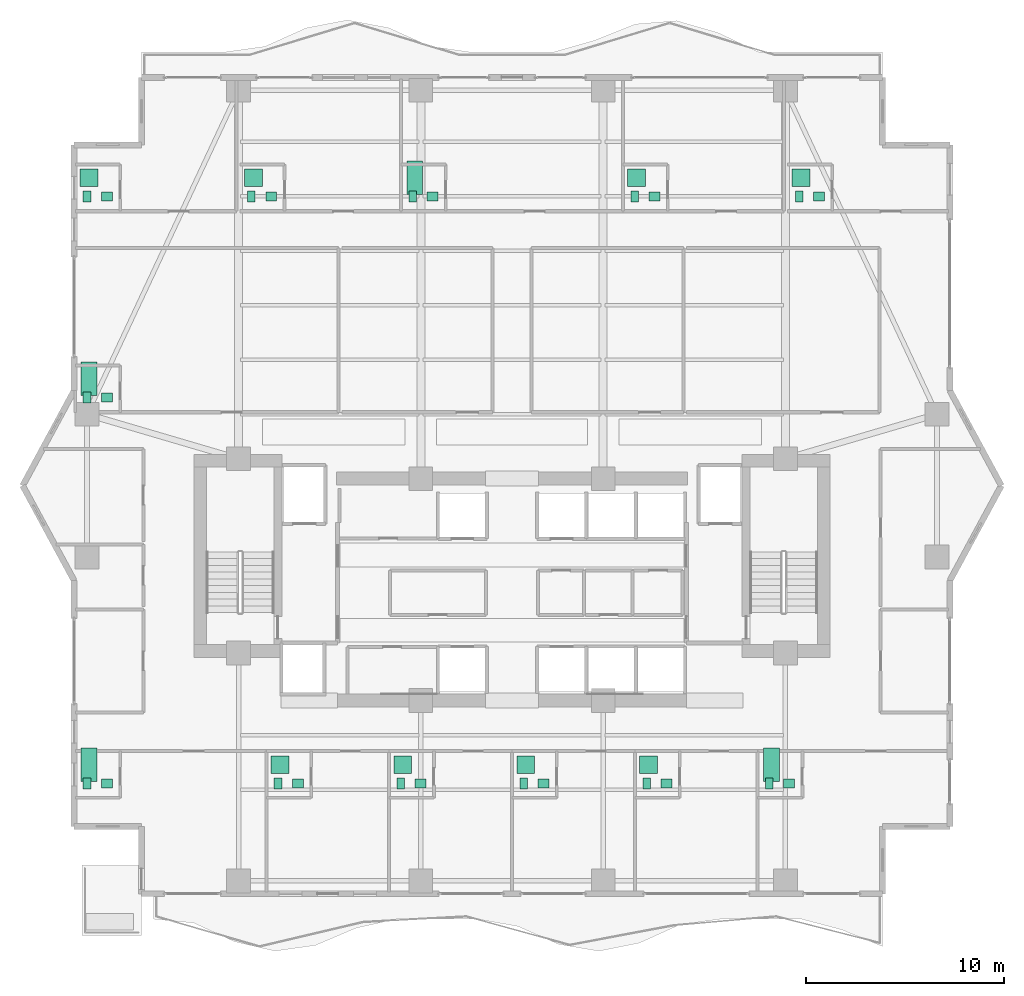
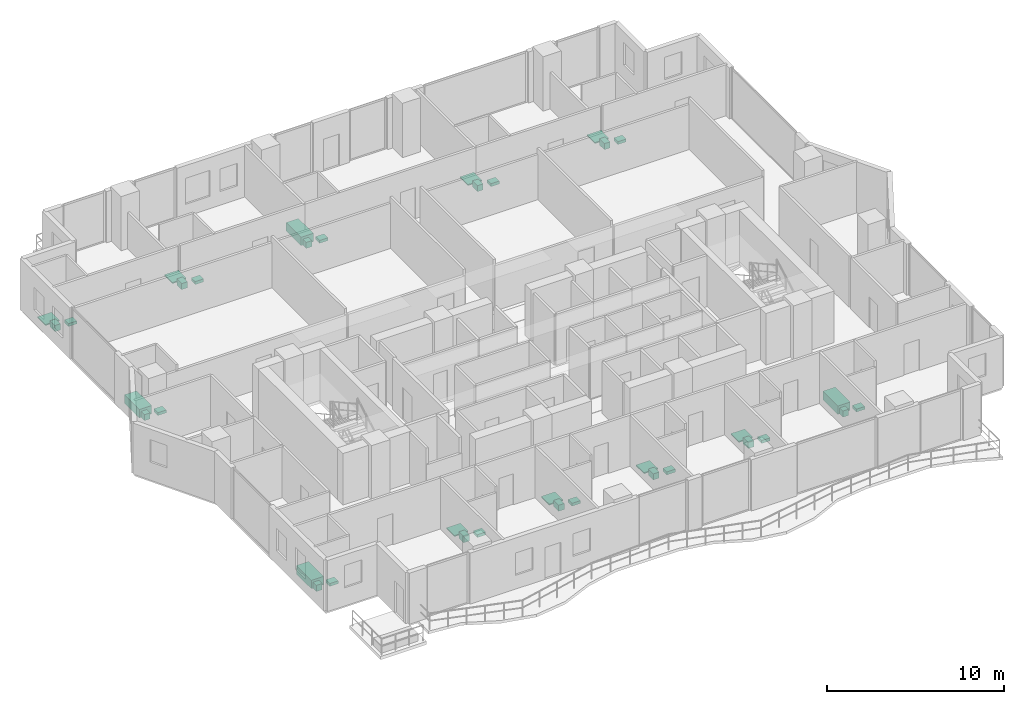
# One storey, part 32 of 32: 36 sanitary terminals.
"""IFC4 building model written with IfcOpenShell, lengths in metres."""

import ifcopenshell
import ifcopenshell.guid

model = None  # the IFC model being written
_history = None  # IfcOwnerHistory: only IFC2X3 demands one
_inside = {}  # id of a spatial element -> (the spatial element, [elements in it])
_under = {}  # id of a project, library or spatial element -> (it, [spatial elements below it])
_declared = {}  # id of a project -> (the project, [libraries it declares])
_typed = {}  # id of a type object -> (the type object, [elements of that type])
_made_of = {}  # id of a material, layer set ... -> (it, [elements and type objects made of it])


def new_model(schema):
    """Start an empty IFC model of exactly this schema.

    Asked for "IFC4X3", IfcOpenShell would pick the latest addendum, in which some entities
    have other attributes; the version numbers below select the first issue.
    IFC2X3 requires an IfcOwnerHistory on every rooted entity: one is made here for all.
    """
    global model, _history
    if schema == "IFC4X3":
        model = ifcopenshell.file(schema_version=(4, 3, 0, 0))
    else:
        model = ifcopenshell.file(schema=schema)
    _inside.clear()
    _under.clear()
    _declared.clear()
    _typed.clear()
    _made_of.clear()
    _history = None
    if model.schema == "IFC2X3":
        org = make("IfcOrganization", Name="unknown")
        user = make(
            "IfcPersonAndOrganization",
            ThePerson=make("IfcPerson", FamilyName="unknown"),
            TheOrganization=org,
        )
        app = make(
            "IfcApplication",
            ApplicationDeveloper=org,
            Version="unknown",
            ApplicationFullName="unknown",
            ApplicationIdentifier="unknown",
        )
        _history = make(
            "IfcOwnerHistory",
            OwningUser=user,
            OwningApplication=app,
            ChangeAction="ADDED",
            CreationDate=0,
        )
    return model


def make(cls, **values):
    """One entity of the class cls with the attributes given. An attribute that is None is left unset."""
    return model.create_entity(
        cls, **{name: value for name, value in values.items() if value is not None}
    )


def rooted(cls, **values):
    """An entity with a GlobalId (a new one), such as an element, a storey or a relation."""
    return make(cls, GlobalId=ifcopenshell.guid.new(), OwnerHistory=_history, **values)


def si_unit(unit_type, name, prefix=None):
    """IfcSIUnit, for example si_unit("LENGTHUNIT", "METRE", prefix="MILLI")."""
    return make("IfcSIUnit", UnitType=unit_type, Prefix=prefix, Name=name)


def assignment(units):
    """IfcUnitAssignment: the units of a project."""
    return None if units is None else make("IfcUnitAssignment", Units=units)


def point(xyz):
    """IfcCartesianPoint."""
    return None if xyz is None else make("IfcCartesianPoint", Coordinates=xyz)


def direction(xyz):
    """IfcDirection."""
    return None if xyz is None else make("IfcDirection", DirectionRatios=xyz)


def frame(location, z_axis=None, x_axis=None):
    """IfcAxis2Placement3D, a coordinate frame: its origin and axes. An axis left out is left unset."""
    return make(
        "IfcAxis2Placement3D",
        Location=point(location),
        Axis=direction(z_axis),
        RefDirection=direction(x_axis),
    )


def frame_2d(location, x_axis=None):
    """IfcAxis2Placement2D, a coordinate frame in the plane: its origin and x axis."""
    return make(
        "IfcAxis2Placement2D", Location=point(location), RefDirection=direction(x_axis)
    )


def origin():
    """The frame at (0, 0, 0) with its axes left unset."""
    return frame((0.0, 0.0, 0.0))


def origin_2d():
    """The frame at (0, 0) in the plane with its x axis left unset."""
    return frame_2d((0.0, 0.0))


def place(relative_to, where):
    """IfcLocalPlacement: puts the frame where relative to a parent placement (None: the world)."""
    return make(
        "IfcLocalPlacement", PlacementRelTo=relative_to, RelativePlacement=where
    )


def context(
    kind, dimensions, precision=None, world=None, true_north=None, identifier=None
):
    """IfcGeometricRepresentationContext, for example the 3D "Model" context."""
    return make(
        "IfcGeometricRepresentationContext",
        ContextIdentifier=identifier,
        ContextType=kind,
        CoordinateSpaceDimension=dimensions,
        Precision=precision,
        WorldCoordinateSystem=world,
        TrueNorth=true_north,
    )


def subcontext(parent, identifier, kind, view, scale=None):
    """IfcGeometricRepresentationSubContext, for example "Body" below "Model"."""
    return make(
        "IfcGeometricRepresentationSubContext",
        ContextIdentifier=identifier,
        ContextType=kind,
        ParentContext=parent,
        TargetScale=scale,
        TargetView=view,
    )


def project(units=None, contexts=None):
    """IfcProject with its units and contexts."""
    return rooted(
        "IfcProject",
        Name="project",
        RepresentationContexts=contexts,
        UnitsInContext=assignment(units),
    )


def spatial(cls, under=None, at=None, **own):
    """A site, building, storey or space (cls), placed at a placement, below another one or the project."""
    s = rooted(cls, ObjectPlacement=at, **own)
    if under is not None:
        _under.setdefault(under.id(), (under, []))[1].append(s)
    return s


def profile(cls, at=None, kind="AREA", **sizes):
    """A parametric profile (cls). Its sizes go by their IFC names, for example OverallWidth=200.0."""
    return make(cls, ProfileType=kind, Position=at, **sizes)


def rectangle(**sizes):
    """IfcRectangleProfileDef."""
    return profile("IfcRectangleProfileDef", **sizes)


def extrude(swept, where, along, depth):
    """IfcExtrudedAreaSolid: the profile swept, set in the frame where, extruded along a direction by depth."""
    return make(
        "IfcExtrudedAreaSolid",
        SweptArea=swept,
        Position=where,
        ExtrudedDirection=direction(along),
        Depth=depth,
    )


def shape(context_of_items, identifier, shape_type, items):
    """IfcShapeRepresentation: the items that make up one representation, for example the "Body"."""
    return make(
        "IfcShapeRepresentation",
        ContextOfItems=context_of_items,
        RepresentationIdentifier=identifier,
        RepresentationType=shape_type,
        Items=items,
    )


def material(Name=None, Category=None):
    """IfcMaterial."""
    return make("IfcMaterial", Name=Name, Category=Category)


def made_of(thing, what):
    """Note that an element or type object is made of a material, layer set ...; save() writes the relation."""
    if what is not None:
        _made_of.setdefault(what.id(), (what, []))[1].append(thing)
    return thing


def type_object(cls, material=None, **own):
    """A type object (cls), such as IfcWallType, which elements share."""
    return made_of(rooted(cls, **own), material)


def element(
    cls,
    number,
    at=None,
    inside=None,
    cuts=None,
    type_object=None,
    material=None,
    context=None,
    identifier="Body",
    shape_type=None,
    held_by="IfcProductDefinitionShape",
    body=None,
    shapes=None,
    **own,
):
    """One element of the class cls, such as IfcWall. Its Tag is "e" and its number.

    at: its placement. inside: the storey or other place that contains it. cuts: it is an
    opening in that element (IfcRelVoidsElement). A single representation is given by context,
    identifier, shape_type and body (its items); several are given by shapes. held_by: the class
    of the entity that holds the representations. save() writes the other relations.
    """
    e = rooted(cls, Tag="e%d" % number, ObjectPlacement=at, **own)
    if body is not None:
        shapes = [shape(context, identifier, shape_type, body)]
    if shapes is not None:
        e.Representation = make(held_by, Representations=shapes)
    if inside is not None:
        _inside.setdefault(inside.id(), (inside, []))[1].append(e)
    if cuts is not None:
        rooted(
            "IfcRelVoidsElement", RelatingBuildingElement=cuts, RelatedOpeningElement=e
        )
    if type_object is not None:
        _typed.setdefault(type_object.id(), (type_object, []))[1].append(e)
    return made_of(e, material)


def aggregate(whole, parts):
    """IfcRelAggregates: a whole, such as a stair, and the parts it consists of."""
    return rooted("IfcRelAggregates", RelatingObject=whole, RelatedObjects=parts)


def save(model, path):
    """Write the relations noted so far, then the file.

    IfcRelAggregates (storeys below a building ...), IfcRelContainedInSpatialStructure (elements
    in a storey), IfcRelDefinesByType, IfcRelAssociatesMaterial and IfcRelDeclares: one each for
    every whole, place, type object, material and project.
    """
    for whole, parts in _under.values():
        aggregate(whole, parts)
    for where, things in _inside.values():
        rooted(
            "IfcRelContainedInSpatialStructure",
            RelatedElements=things,
            RelatingStructure=where,
        )
    for kind, things in _typed.values():
        rooted("IfcRelDefinesByType", RelatedObjects=things, RelatingType=kind)
    for what, things in _made_of.values():
        rooted("IfcRelAssociatesMaterial", RelatedObjects=things, RelatingMaterial=what)
    for by, libraries in _declared.values():
        rooted("IfcRelDeclares", RelatingContext=by, RelatedDefinitions=libraries)
    model.write(path)


model = new_model("IFC4")

# Units and contexts
model_context = context("Model", 3, precision=1e-05, world=origin(), true_north=direction((0.0, 1.0)))
body_context = subcontext(model_context, "Body", "Model", "MODEL_VIEW")
ifc_project = project(units=[si_unit("LENGTHUNIT", "METRE"), si_unit("AREAUNIT", "SQUARE_METRE"), si_unit("VOLUMEUNIT", "CUBIC_METRE"), si_unit("PLANEANGLEUNIT", "RADIAN"), si_unit("MASSUNIT", "GRAM", prefix="KILO")], contexts=[model_context])

# Site, building, storey
site_placement = place(None, origin())
site = spatial("IfcSite", under=ifc_project, at=site_placement, CompositionType="ELEMENT")
building_placement = place(site_placement, origin())
building = spatial("IfcBuilding", under=site, at=building_placement, Name="Zuhayl Quay Hotel", CompositionType="ELEMENT")
storey_placement = place(building_placement, frame((0.0, 0.0, 192.39990234375)))
storey = spatial("IfcBuildingStorey", under=building, at=storey_placement, Name="L48", CompositionType="ELEMENT", Elevation=192.39990234375)

# Sanitary terminals
ifc_material = material(Name="Vitreous Porcelain Sanitaryware")
sanitary_terminal_type_1 = type_object("IfcSanitaryTerminalType", Name="SAN_BASIN", PredefinedType="WASHHANDBASIN", material=ifc_material)
for number, where, z_axis, x_axis, name in (
    (1, (-20.449951171875, 27.590087890625, 0.0), (0.0, 0.0, 1.0), (1.0, 0.0, 0.0), "L48 Sanitary Fixture WASHHANDBASIN"),
    (2, (-12.14990234375, 27.590087890625, 0.0), (0.0, 0.0, 1.0), (1.0, 0.0, 0.0), "L48 Sanitary Fixture WASHHANDBASIN"),
    (3, (-4.010009765625, 27.590087890625, 0.0), (0.0, 0.0, 1.0), (1.0, 0.0, 0.0), "L48 Sanitary Fixture WASHHANDBASIN"),
    (4, (7.18994140625, 27.590087890625, 0.0), (0.0, 0.0, 1.0), (1.0, 0.0, 0.0), "L48 Sanitary Fixture WASHHANDBASIN"),
    (5, (15.489990234375, 27.590087890625, 0.0), (0.0, 0.0, 1.0), (1.0, 0.0, 0.0), "L48 Sanitary Fixture WASHHANDBASIN"),
    (6, (-20.449951171875, 17.43994140625, 0.0), (0.0, 0.0, 1.0), (1.0, 0.0, 0.0), "L48 Sanitary Fixture WASHHANDBASIN"),
    (7, (-20.449951171875, -2.0400390625, 0.0), (0.0, 0.0, 1.0), (1.0, 0.0, 0.0), "L48 Sanitary Fixture WASHHANDBASIN"),
    (8, (-10.81005859375, -2.0400390625, 0.0), (0.0, 0.0, 1.0), (1.0, 0.0, 0.0), "L48 Sanitary Fixture WASHHANDBASIN"),
    (9, (-4.610107421875, -2.0400390625, 0.0), (0.0, 0.0, 1.0), (1.0, 0.0, 0.0), "L48 Sanitary Fixture WASHHANDBASIN"),
    (10, (1.590087890625, -2.0400390625, 0.0), (0.0, 0.0, 1.0), (1.0, 0.0, 0.0), "L48 Sanitary Fixture WASHHANDBASIN"),
    (11, (7.7900390625, -2.0400390625, 0.0), (0.0, 0.0, 1.0), (1.0, 0.0, 0.0), "L48 Sanitary Fixture WASHHANDBASIN"),
    (12, (13.989990234375, -2.0400390625, 0.0), (0.0, 0.0, 1.0), (1.0, 0.0, 0.0), "L48 Sanitary Fixture WASHHANDBASIN"),
):
    element("IfcSanitaryTerminal", number, at=place(storey_placement, frame(where, z_axis=z_axis, x_axis=x_axis)), inside=storey, type_object=sanitary_terminal_type_1, Name=name, PredefinedType="WASHHANDBASIN", context=body_context, shape_type="SweptSolid", body=[
        extrude(rectangle(XDim=0.550048828125, YDim=0.449951171875, at=origin_2d()), origin(), (0.0, 0.0, 1.0), 0.199951171875),
    ])
sanitary_terminal_type_2 = type_object("IfcSanitaryTerminalType", Name="SAN_BATH", PredefinedType="BATH", material=ifc_material)
for number, where, z_axis, x_axis, name in (
    (13, (-4.909912109375, 28.5400390625, 0.0), (0.0, 0.0, 1.0), (1.0, 0.0, 0.0), "L48 Sanitary Fixture BATH"),
    (14, (-21.35009765625, 18.389892578125, 0.0), (0.0, 0.0, 1.0), (1.0, 0.0, 0.0), "L48 Sanitary Fixture BATH"),
    (15, (-21.35009765625, -1.090087890625, 0.0), (0.0, 0.0, 1.0), (1.0, 0.0, 0.0), "L48 Sanitary Fixture BATH"),
    (16, (13.090087890625, -1.090087890625, 0.0), (0.0, 0.0, 1.0), (1.0, 0.0, 0.0), "L48 Sanitary Fixture BATH"),
):
    element("IfcSanitaryTerminal", number, at=place(storey_placement, frame(where, z_axis=z_axis, x_axis=x_axis)), inside=storey, type_object=sanitary_terminal_type_2, Name=name, PredefinedType="BATH", context=body_context, shape_type="SweptSolid", body=[
        extrude(rectangle(XDim=0.800048828125, YDim=1.699951171875, at=origin_2d()), origin(), (0.0, 0.0, 1.0), 0.580078125),
    ])
sanitary_terminal_type_3 = type_object("IfcSanitaryTerminalType", Name="SAN_SHOWER", PredefinedType="SHOWER", material=ifc_material)
for number, where, z_axis, x_axis, name in (
    (17, (-21.35009765625, 28.5400390625, 0.0), (0.0, 0.0, 1.0), (1.0, 0.0, 0.0), "L48 Sanitary Fixture SHOWER"),
    (18, (-13.050048828125, 28.5400390625, 0.0), (0.0, 0.0, 1.0), (1.0, 0.0, 0.0), "L48 Sanitary Fixture SHOWER"),
    (19, (6.2900390625, 28.5400390625, 0.0), (0.0, 0.0, 1.0), (1.0, 0.0, 0.0), "L48 Sanitary Fixture SHOWER"),
    (20, (14.590087890625, 28.5400390625, 0.0), (0.0, 0.0, 1.0), (1.0, 0.0, 0.0), "L48 Sanitary Fixture SHOWER"),
    (21, (-11.7099609375, -1.090087890625, 0.0), (0.0, 0.0, 1.0), (1.0, 0.0, 0.0), "L48 Sanitary Fixture SHOWER"),
    (22, (-5.510009765625, -1.090087890625, 0.0), (0.0, 0.0, 1.0), (1.0, 0.0, 0.0), "L48 Sanitary Fixture SHOWER"),
    (23, (0.68994140625, -1.090087890625, 0.0), (0.0, 0.0, 1.0), (1.0, 0.0, 0.0), "L48 Sanitary Fixture SHOWER"),
    (24, (6.889892578125, -1.090087890625, 0.0), (0.0, 0.0, 1.0), (1.0, 0.0, 0.0), "L48 Sanitary Fixture SHOWER"),
):
    element("IfcSanitaryTerminal", number, at=place(storey_placement, frame(where, z_axis=z_axis, x_axis=x_axis)), inside=storey, type_object=sanitary_terminal_type_3, Name=name, PredefinedType="SHOWER", context=body_context, shape_type="SweptSolid", body=[
        extrude(rectangle(XDim=0.89990234375, YDim=0.89990234375, at=origin_2d()), origin(), (0.0, 0.0, 1.0), 0.080078125),
    ])
sanitary_terminal_type_4 = type_object("IfcSanitaryTerminalType", Name="SAN_WC", PredefinedType="TOILETPAN", material=ifc_material)
for number, where, z_axis, x_axis, name in (
    (25, (-21.449951171875, 27.590087890625, 0.000244140625), (0.0, 0.0, 1.0), (1.0, 0.0, 0.0), "L48 Sanitary Fixture TOILETPAN"),
    (26, (-13.14990234375, 27.590087890625, 0.000244140625), (0.0, 0.0, 1.0), (1.0, 0.0, 0.0), "L48 Sanitary Fixture TOILETPAN"),
    (27, (-5.010009765625, 27.590087890625, 0.000244140625), (0.0, 0.0, 1.0), (1.0, 0.0, 0.0), "L48 Sanitary Fixture TOILETPAN"),
    (28, (6.18994140625, 27.590087890625, 0.000244140625), (0.0, 0.0, 1.0), (1.0, 0.0, 0.0), "L48 Sanitary Fixture TOILETPAN"),
    (29, (14.489990234375, 27.590087890625, 0.000244140625), (0.0, 0.0, 1.0), (1.0, 0.0, 0.0), "L48 Sanitary Fixture TOILETPAN"),
    (30, (-21.449951171875, 17.43994140625, 0.000244140625), (0.0, 0.0, 1.0), (1.0, 0.0, 0.0), "L48 Sanitary Fixture TOILETPAN"),
    (31, (-21.449951171875, -2.0400390625, 0.000244140625), (0.0, 0.0, 1.0), (1.0, 0.0, 0.0), "L48 Sanitary Fixture TOILETPAN"),
    (32, (-11.81005859375, -2.0400390625, 0.000244140625), (0.0, 0.0, 1.0), (1.0, 0.0, 0.0), "L48 Sanitary Fixture TOILETPAN"),
    (33, (-5.610107421875, -2.0400390625, 0.000244140625), (0.0, 0.0, 1.0), (1.0, 0.0, 0.0), "L48 Sanitary Fixture TOILETPAN"),
    (34, (0.590087890625, -2.0400390625, 0.000244140625), (0.0, 0.0, 1.0), (1.0, 0.0, 0.0), "L48 Sanitary Fixture TOILETPAN"),
    (35, (6.7900390625, -2.0400390625, 0.000244140625), (0.0, 0.0, 1.0), (1.0, 0.0, 0.0), "L48 Sanitary Fixture TOILETPAN"),
    (36, (12.989990234375, -2.0400390625, 0.000244140625), (0.0, 0.0, 1.0), (1.0, 0.0, 0.0), "L48 Sanitary Fixture TOILETPAN"),
):
    element("IfcSanitaryTerminal", number, at=place(storey_placement, frame(where, z_axis=z_axis, x_axis=x_axis)), inside=storey, type_object=sanitary_terminal_type_4, Name=name, PredefinedType="TOILETPAN", context=body_context, shape_type="SweptSolid", body=[
        extrude(rectangle(XDim=0.3798828125, YDim=0.56005859375, at=origin_2d()), origin(), (0.0, 0.0, 1.0), 0.419921875),
    ])

save(model, "model.ifc")
